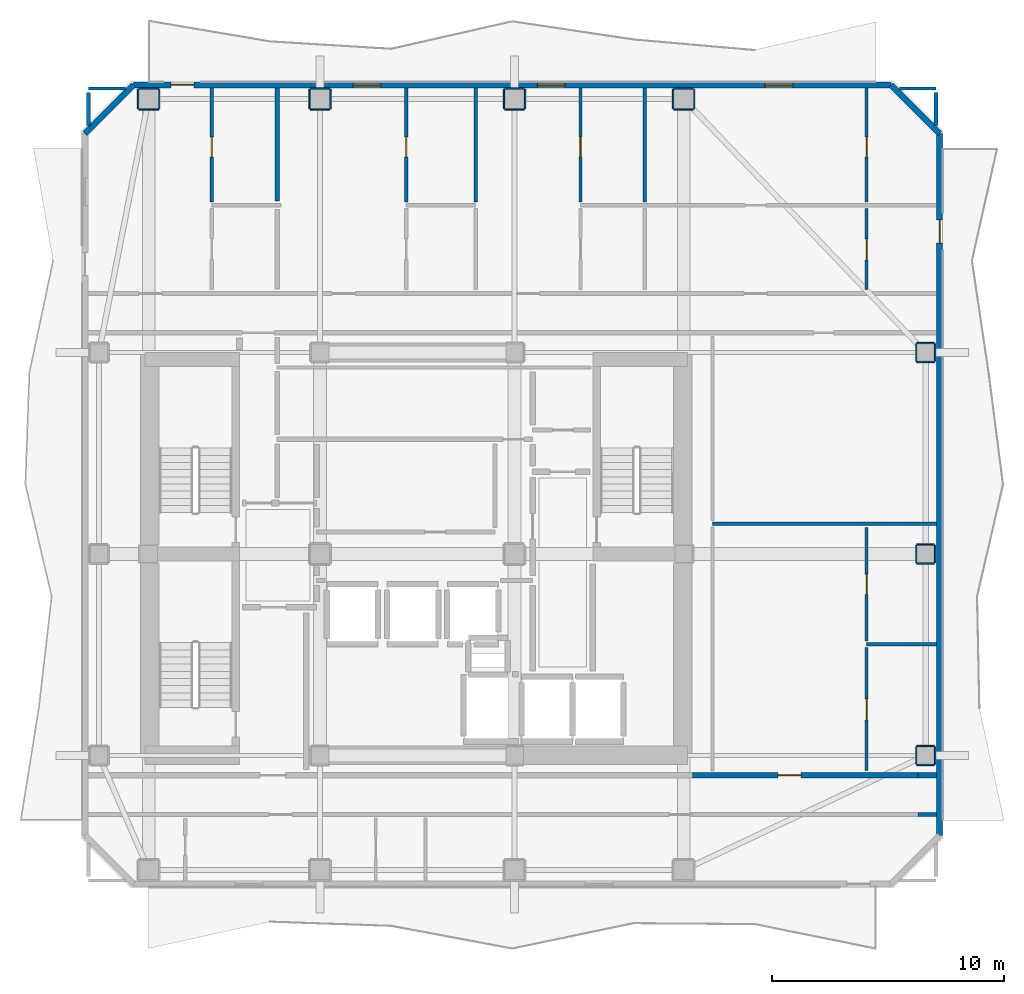
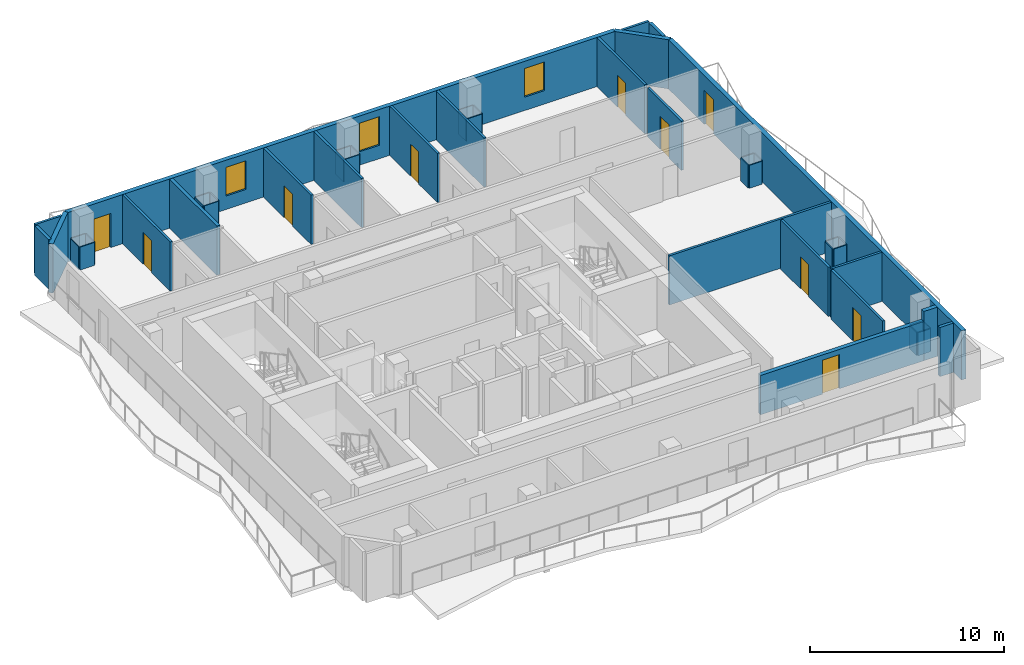
# One storey, part 5 of 9: 51 walls, 10 doors, 3 windows, 13 openings.
"""IFC4 building model written with IfcOpenShell, lengths in metres."""

from ifc_helpers import new_model, si_unit, direction, frame, frame_2d, origin, place, context, subcontext, project, spatial, rectangle, extrude, material, layer, layer_set, type_object, element, fill, save


model = new_model("IFC4")

# Units and contexts
model_context = context("Model", 3, precision=1e-05, world=origin(), true_north=direction((0.0, 1.0)))
body_context = subcontext(model_context, "Body", "Model", "MODEL_VIEW")
ifc_project = project(units=[si_unit("LENGTHUNIT", "METRE"), si_unit("AREAUNIT", "SQUARE_METRE"), si_unit("VOLUMEUNIT", "CUBIC_METRE"), si_unit("PLANEANGLEUNIT", "RADIAN"), si_unit("MASSUNIT", "GRAM", prefix="KILO")], contexts=[model_context])

# Site, building, storey
site_placement = place(None, origin())
site = spatial("IfcSite", under=ifc_project, at=site_placement, CompositionType="ELEMENT")
building_placement = place(site_placement, origin())
building = spatial("IfcBuilding", under=site, at=building_placement, Name="Solanera Arch Residences", CompositionType="ELEMENT")
storey_placement = place(building_placement, frame((0.0, 0.0, 244.56005859375)))
storey = spatial("IfcBuildingStorey", under=building, at=storey_placement, Name="L71", CompositionType="ELEMENT", Elevation=244.56005859375)

# Walls
ifc_material_1 = material(Name="Fire-Rated Gypsum Stud Partition", Category="gypsum")
ifc_layer_1 = layer(ifc_material_1, 0.06005859375)
ifc_layer_set_1 = layer_set([ifc_layer_1], Name="Fire-Rated Gypsum Stud Partition")
wall_type_1 = type_object("IfcWallType", Name="Column Acoustic Furring Wall 60", PredefinedType="PARTITIONING", material=ifc_layer_set_1)
for number, where, z_axis, x_axis, name in (
    (1, (12.97509765625, 49.89306640625, 0.0), (0.0, 0.0, 1.0), (1.0, 0.0, 0.0), "L71 Column Furring 10S"),
    (2, (12.97509765625, 50.806884765625, 0.0), (0.0, 0.0, 1.0), (1.0, 0.0, 0.0), "L71 Column Furring 10N"),
    (3, (12.943115234375, 49.925048828125, 0.0), (0.0, 0.0, 1.0), (0.0, 1.0, 0.0), "L71 Column Furring 10W"),
    (4, (13.85693359375, 49.925048828125, 0.0), (0.0, 0.0, 1.0), (0.0, 1.0, 0.0), "L71 Column Furring 10E"),
):
    element("IfcWall", number, at=place(storey_placement, frame(where, z_axis=z_axis, x_axis=x_axis)), inside=storey, type_object=wall_type_1, Name=name, PredefinedType="PARTITIONING", context=body_context, shape_type="SweptSolid", body=[
        extrude(rectangle(XDim=0.849853515625, YDim=0.06005859375, at=frame_2d((0.4248046875, 0.0))), origin(), (0.0, 0.0, 1.0), 1.449951171875),
    ])
for number, where, z_axis, x_axis, name in (
    (5, (20.375, 49.89306640625, 0.0), (0.0, 0.0, 1.0), (1.0, 0.0, 0.0), "L71 Column Furring 12S"),
    (6, (20.375, 50.806884765625, 0.0), (0.0, 0.0, 1.0), (1.0, 0.0, 0.0), "L71 Column Furring 12N"),
):
    element("IfcWall", number, at=place(storey_placement, frame(where, z_axis=z_axis, x_axis=x_axis)), inside=storey, type_object=wall_type_1, Name=name, PredefinedType="PARTITIONING", context=body_context, shape_type="SweptSolid", body=[
        extrude(rectangle(XDim=0.85009765625, YDim=0.06005859375, at=frame_2d((0.425048828125, 0.0))), origin(), (0.0, 0.0, 1.0), 1.449951171875),
    ])
for number, where, z_axis, x_axis, name in (
    (7, (20.343017578125, 49.925048828125, 0.0), (0.0, 0.0, 1.0), (0.0, 1.0, 0.0), "L71 Column Furring 12W"),
    (8, (21.257080078125, 49.925048828125, 0.0), (0.0, 0.0, 1.0), (0.0, 1.0, 0.0), "L71 Column Furring 12E"),
):
    element("IfcWall", number, at=place(storey_placement, frame(where, z_axis=z_axis, x_axis=x_axis)), inside=storey, type_object=wall_type_1, Name=name, PredefinedType="PARTITIONING", context=body_context, shape_type="SweptSolid", body=[
        extrude(rectangle(XDim=0.849853515625, YDim=0.06005859375, at=frame_2d((0.4248046875, 0.0))), origin(), (0.0, 0.0, 1.0), 1.449951171875),
    ])
for number, where, z_axis, x_axis, name in (
    (9, (28.77490234375, 49.89306640625, 0.0), (0.0, 0.0, 1.0), (1.0, 0.0, 0.0), "L71 Column Furring 14S"),
    (10, (28.77490234375, 50.806884765625, 0.0), (0.0, 0.0, 1.0), (1.0, 0.0, 0.0), "L71 Column Furring 14N"),
):
    element("IfcWall", number, at=place(storey_placement, frame(where, z_axis=z_axis, x_axis=x_axis)), inside=storey, type_object=wall_type_1, Name=name, PredefinedType="PARTITIONING", context=body_context, shape_type="SweptSolid", body=[
        extrude(rectangle(XDim=0.85009765625, YDim=0.06005859375, at=frame_2d((0.425048828125, 0.0))), origin(), (0.0, 0.0, 1.0), 1.449951171875),
    ])
for number, where, z_axis, x_axis, name in (
    (11, (28.742919921875, 49.925048828125, 0.0), (0.0, 0.0, 1.0), (0.0, 1.0, 0.0), "L71 Column Furring 14W"),
    (12, (29.656982421875, 49.925048828125, 0.0), (0.0, 0.0, 1.0), (0.0, 1.0, 0.0), "L71 Column Furring 14E"),
):
    element("IfcWall", number, at=place(storey_placement, frame(where, z_axis=z_axis, x_axis=x_axis)), inside=storey, type_object=wall_type_1, Name=name, PredefinedType="PARTITIONING", context=body_context, shape_type="SweptSolid", body=[
        extrude(rectangle(XDim=0.849853515625, YDim=0.06005859375, at=frame_2d((0.4248046875, 0.0))), origin(), (0.0, 0.0, 1.0), 1.449951171875),
    ])
for number, where, z_axis, x_axis, name in (
    (13, (36.074951171875, 49.89306640625, 0.0), (0.0, 0.0, 1.0), (1.0, 0.0, 0.0), "L71 Column Furring 16S"),
    (14, (36.074951171875, 50.806884765625, 0.0), (0.0, 0.0, 1.0), (1.0, 0.0, 0.0), "L71 Column Furring 16N"),
):
    element("IfcWall", number, at=place(storey_placement, frame(where, z_axis=z_axis, x_axis=x_axis)), inside=storey, type_object=wall_type_1, Name=name, PredefinedType="PARTITIONING", context=body_context, shape_type="SweptSolid", body=[
        extrude(rectangle(XDim=0.85009765625, YDim=0.06005859375, at=frame_2d((0.425048828125, 0.0))), origin(), (0.0, 0.0, 1.0), 1.449951171875),
    ])
for number, where, z_axis, x_axis, name in (
    (15, (36.04296875, 49.925048828125, 0.0), (0.0, 0.0, 1.0), (0.0, 1.0, 0.0), "L71 Column Furring 16W"),
    (16, (36.95703125, 49.925048828125, 0.0), (0.0, 0.0, 1.0), (0.0, 1.0, 0.0), "L71 Column Furring 16E"),
):
    element("IfcWall", number, at=place(storey_placement, frame(where, z_axis=z_axis, x_axis=x_axis)), inside=storey, type_object=wall_type_1, Name=name, PredefinedType="PARTITIONING", context=body_context, shape_type="SweptSolid", body=[
        extrude(rectangle(XDim=0.849853515625, YDim=0.06005859375, at=frame_2d((0.4248046875, 0.0))), origin(), (0.0, 0.0, 1.0), 1.449951171875),
    ])
for number, where, z_axis, x_axis, name in (
    (17, (46.574951171875, 21.593017578125, 0.0), (0.0, 0.0, 1.0), (1.0, 0.0, 0.0), "L71 Column Furring 18S"),
    (18, (46.574951171875, 22.406982421875, 0.0), (0.0, 0.0, 1.0), (1.0, 0.0, 0.0), "L71 Column Furring 18N"),
    (19, (46.54296875, 21.625, 0.0), (0.0, 0.0, 1.0), (0.0, 1.0, 0.0), "L71 Column Furring 18W"),
    (20, (47.35693359375, 21.625, 0.0), (0.0, 0.0, 1.0), (0.0, 1.0, 0.0), "L71 Column Furring 18E"),
    (21, (46.574951171875, 30.29296875, 0.0), (0.0, 0.0, 1.0), (1.0, 0.0, 0.0), "L71 Column Furring 20S"),
    (22, (46.574951171875, 31.10693359375, 0.0), (0.0, 0.0, 1.0), (1.0, 0.0, 0.0), "L71 Column Furring 20N"),
    (23, (46.54296875, 30.324951171875, 0.0), (0.0, 0.0, 1.0), (0.0, 1.0, 0.0), "L71 Column Furring 20W"),
    (24, (47.35693359375, 30.324951171875, 0.0), (0.0, 0.0, 1.0), (0.0, 1.0, 0.0), "L71 Column Furring 20E"),
    (25, (46.574951171875, 38.992919921875, 0.0), (0.0, 0.0, 1.0), (1.0, 0.0, 0.0), "L71 Column Furring 22S"),
    (26, (46.574951171875, 39.806884765625, 0.0), (0.0, 0.0, 1.0), (1.0, 0.0, 0.0), "L71 Column Furring 22N"),
    (27, (46.54296875, 39.02490234375, 0.0), (0.0, 0.0, 1.0), (0.0, 1.0, 0.0), "L71 Column Furring 22W"),
    (28, (47.35693359375, 39.02490234375, 0.0), (0.0, 0.0, 1.0), (0.0, 1.0, 0.0), "L71 Column Furring 22E"),
):
    element("IfcWall", number, at=place(storey_placement, frame(where, z_axis=z_axis, x_axis=x_axis)), inside=storey, type_object=wall_type_1, Name=name, PredefinedType="PARTITIONING", context=body_context, shape_type="SweptSolid", body=[
        extrude(rectangle(XDim=0.75, YDim=0.06005859375, at=frame_2d((0.375, 0.0))), origin(), (0.0, 0.0, 1.0), 1.449951171875),
    ])
ifc_material_2 = material(Name="Autoclaved Aerated Concrete Blockwork", Category="masonry")
ifc_layer_2 = layer(ifc_material_2, 0.179931640625)
ifc_layer_set_2 = layer_set([ifc_layer_2], Name="Autoclaved Aerated Concrete Blockwork")
wall_type_2 = type_object("IfcWallType", Name="Corridor Fire Partition 180", PredefinedType="PARTITIONING", material=ifc_layer_set_2)
wall_1_placement = place(storey_placement, frame((46.611083984375, 19.449951171875, 0.0), z_axis=(0.0, 0.0, 1.0), x_axis=(1.0, 0.0, 0.0)))
element("IfcWall", 29, at=wall_1_placement, inside=storey, type_object=wall_type_2, Name="L71 Interior Partition H7 3", PredefinedType="PARTITIONING", context=body_context, shape_type="SweptSolid", body=[
    extrude(rectangle(XDim=0.802001953125, YDim=0.179931640625, at=frame_2d((0.40087890625, 0.0))), origin(), (0.0, 0.0, 1.0), 3.099853515625),
])
for number, where, z_axis, x_axis, name in (
    (30, (10.800048828125, 49.2109375, 0.0), (0.0, 0.0, 1.0), (0.0, 1.0, 0.0), "L71 Interior Partition V9"),
    (31, (47.39990234375, 49.2109375, 0.0), (0.0, 0.0, 1.0), (0.0, 1.0, 0.0), "L71 Interior Partition V11 2"),
):
    element("IfcWall", number, at=place(storey_placement, frame(where, z_axis=z_axis, x_axis=x_axis)), inside=storey, type_object=wall_type_2, Name=name, PredefinedType="PARTITIONING", context=body_context, shape_type="SweptSolid", body=[
        extrude(rectangle(XDim=1.421142578125, YDim=0.179931640625, at=frame_2d((0.71044921875, 0.0))), origin(), (0.0, 0.0, 1.0), 3.099853515625),
    ])
ifc_material_3 = material(Name="Precast Concrete C35/45", Category="concrete")
ifc_layer_3 = layer(ifc_material_3, 0.260009765625)
ifc_layer_set_3 = layer_set([ifc_layer_3], Name="Precast Concrete C35/45")
wall_type_3 = type_object("IfcWallType", Name="Exterior Wall Precast Masonry-Frame 260", PredefinedType="STANDARD", material=ifc_layer_set_3)
wall_2_placement = place(storey_placement, frame((10.64501953125, 48.85498046875, 0.0), z_axis=(0.0, 0.0, 1.0), x_axis=(0.707106781187, 0.707106781187, 0.0)))
element("IfcWall", 32, at=wall_2_placement, inside=storey, type_object=wall_type_3, Name="L71 Tower Exterior Precast Masonry-Frame Wall CH1", PredefinedType="STANDARD", context=body_context, shape_type="SweptSolid", body=[
    extrude(rectangle(XDim=2.969970703125, YDim=0.260009765625, at=frame_2d((1.48486328125, 0.0))), origin(), (0.0, 0.0, 1.0), 3.099853515625),
])

# Wall, openings, door, windows
wall_3_placement = place(storey_placement, frame((12.7451171875, 50.955078125, 0.0), z_axis=(0.0, 0.0, 1.0), x_axis=(1.0, 0.0, 0.0)))
wall_3 = element("IfcWall", 33, at=wall_3_placement, inside=storey, type_object=wall_type_3, Name="L71 Tower Exterior Precast Masonry-Frame Wall N", PredefinedType="STANDARD", context=body_context, shape_type="SweptSolid", body=[
    extrude(rectangle(XDim=32.7099609375, YDim=0.260009765625, at=frame_2d((16.35498046875, 0.0))), origin(), (0.0, 0.0, 1.0), 3.099853515625),
])
opening_1_placement = place(wall_3_placement, frame((1.610107421875, 0.0, 0.0)))
opening_1 = element("IfcOpeningElement", 34, at=opening_1_placement, cuts=wall_3, Name="Opening DB-01", PredefinedType="OPENING", context=body_context, shape_type="SweptSolid", body=[
    extrude(rectangle(XDim=1.0, YDim=2.14990234375, at=frame_2d((0.5, 1.074951171875))), frame((0.0, 0.139892578125, 0.0), z_axis=(0.0, -1.0, 0.0), x_axis=(1.0, 0.0, 0.0)), (0.0, 0.0, 1.0), 0.28),
])
opening_2_placement = place(wall_3_placement, frame((9.47802734375, 0.0, 0.85009765625)))
opening_2 = element("IfcOpeningElement", 35, at=opening_2_placement, cuts=wall_3, Name="Opening W-01", PredefinedType="OPENING", context=body_context, shape_type="SweptSolid", body=[
    extrude(rectangle(XDim=1.199951171875, YDim=1.800048828125, at=frame_2d((0.60009765625, 0.89990234375))), frame((0.0, 0.139892578125, 0.0), z_axis=(0.0, -1.0, 0.0), x_axis=(1.0, 0.0, 0.0)), (0.0, 0.0, 1.0), 0.28),
])
opening_3_placement = place(wall_3_placement, frame((17.43994140625, 0.0, 0.85009765625)))
opening_3 = element("IfcOpeningElement", 36, at=opening_3_placement, cuts=wall_3, Name="Opening W-01", PredefinedType="OPENING", context=body_context, shape_type="SweptSolid", body=[
    extrude(rectangle(XDim=1.199951171875, YDim=1.800048828125, at=frame_2d((0.60009765625, 0.89990234375))), frame((0.0, 0.139892578125, 0.0), z_axis=(0.0, -1.0, 0.0), x_axis=(1.0, 0.0, 0.0)), (0.0, 0.0, 1.0), 0.28),
])
opening_4_placement = place(wall_3_placement, frame((27.26708984375, 0.0, 0.85009765625)))
opening_4 = element("IfcOpeningElement", 37, at=opening_4_placement, cuts=wall_3, Name="Opening W-01", PredefinedType="OPENING", context=body_context, shape_type="SweptSolid", body=[
    extrude(rectangle(XDim=1.199951171875, YDim=1.800048828125, at=frame_2d((0.60009765625, 0.89990234375))), frame((0.0, 0.139892578125, 0.0), z_axis=(0.0, -1.0, 0.0), x_axis=(1.0, 0.0, 0.0)), (0.0, 0.0, 1.0), 0.28),
])
ifc_material_4 = material(Name="Anodised Aluminium Alloy 6063-T6", Category="aluminium")
door_type_1 = type_object("IfcDoorType", Name="Glazed Balcony Swing Door DB-01", OperationType="NOTDEFINED", PredefinedType="DOOR", material=ifc_material_4)
door_1_placement = place(opening_1_placement, origin())
door_1 = element("IfcDoor", 38, at=door_1_placement, inside=storey, type_object=door_type_1, Name="DR-L71-OUT-02", OperationType="SINGLE_SWING_RIGHT", OverallHeight=2.14990234375, OverallWidth=1.0, PredefinedType="DOOR", context=body_context, shape_type="SweptSolid", body=[
    extrude(rectangle(XDim=1.0, YDim=2.14990234375, at=frame_2d((0.5, 1.074951171875))), frame((0.0, 0.02490234375, 0.0), z_axis=(0.0, -1.0, 0.0), x_axis=(1.0, 0.0, 0.0)), (0.0, 0.0, 1.0), 0.050048828125),
])
fill(opening_1, door_1)
ifc_material_5 = material(Name="Double Glazed Low-E Laminated Glass", Category="glass")
window_type = type_object("IfcWindowType", Name="Punched Window W-01", PartitioningType="SINGLE_PANEL", PredefinedType="WINDOW", material=ifc_material_5)
window_1_placement = place(opening_2_placement, origin())
window_1 = element("IfcWindow", 39, at=window_1_placement, inside=storey, type_object=window_type, Name="L71 7103-LIV Punched Window", OverallHeight=1.800048828125, OverallWidth=1.199951171875, PartitioningType="SINGLE_PANEL", PredefinedType="WINDOW", context=body_context, shape_type="SweptSolid", body=[
    extrude(rectangle(XDim=1.199951171875, YDim=1.800048828125, at=frame_2d((0.60009765625, 0.89990234375))), frame((0.0, 0.030029296875, 0.0), z_axis=(0.0, -1.0, 0.0), x_axis=(1.0, 0.0, 0.0)), (0.0, 0.0, 1.0), 0.06005859375),
])
fill(opening_2, window_1)
window_2_placement = place(opening_3_placement, origin())
window_2 = element("IfcWindow", 40, at=window_2_placement, inside=storey, type_object=window_type, Name="L71 7104-LIV Punched Window", OverallHeight=1.800048828125, OverallWidth=1.199951171875, PartitioningType="SINGLE_PANEL", PredefinedType="WINDOW", context=body_context, shape_type="SweptSolid", body=[
    extrude(rectangle(XDim=1.199951171875, YDim=1.800048828125, at=frame_2d((0.60009765625, 0.89990234375))), frame((0.0, 0.030029296875, 0.0), z_axis=(0.0, -1.0, 0.0), x_axis=(1.0, 0.0, 0.0)), (0.0, 0.0, 1.0), 0.06005859375),
])
fill(opening_3, window_2)
window_3_placement = place(opening_4_placement, origin())
window_3 = element("IfcWindow", 41, at=window_3_placement, inside=storey, type_object=window_type, Name="L71 7105-LIV Punched Window", OverallHeight=1.800048828125, OverallWidth=1.199951171875, PartitioningType="SINGLE_PANEL", PredefinedType="WINDOW", context=body_context, shape_type="SweptSolid", body=[
    extrude(rectangle(XDim=1.199951171875, YDim=1.800048828125, at=frame_2d((0.60009765625, 0.89990234375))), frame((0.0, 0.030029296875, 0.0), z_axis=(0.0, -1.0, 0.0), x_axis=(1.0, 0.0, 0.0)), (0.0, 0.0, 1.0), 0.06005859375),
])
fill(opening_4, window_3)

# Wall
wall_4_placement = place(storey_placement, frame((45.455078125, 50.955078125, 0.0), z_axis=(0.0, 0.0, 1.0), x_axis=(0.707065676302, -0.707147883682, 0.0)))
element("IfcWall", 42, at=wall_4_placement, inside=storey, type_object=wall_type_3, Name="L71 Tower Exterior Precast Masonry-Frame Wall CH3", PredefinedType="STANDARD", context=body_context, shape_type="SweptSolid", body=[
    extrude(rectangle(XDim=2.9697265625, YDim=0.260009765625, at=frame_2d((1.48486328125, 0.0))), origin(), (0.0, 0.0, 1.0), 3.099853515625),
])

# Wall, opening, door
wall_5_placement = place(storey_placement, frame((47.554931640625, 48.85498046875, 0.0), z_axis=(0.0, 0.0, 1.0), x_axis=(0.0, -1.0, 0.0)))
wall_5 = element("IfcWall", 43, at=wall_5_placement, inside=storey, type_object=wall_type_3, Name="L71 Tower Exterior Precast Masonry-Frame Wall E", PredefinedType="STANDARD", context=body_context, shape_type="SweptSolid", body=[
    extrude(rectangle(XDim=30.31005859375, YDim=0.260009765625, at=frame_2d((15.155029296875, 0.0))), origin(), (0.0, 0.0, 1.0), 3.099853515625),
])
opening_5_placement = place(wall_5_placement, frame((3.72900390625, 0.0, 0.0)))
opening_5 = element("IfcOpeningElement", 44, at=opening_5_placement, cuts=wall_5, Name="Opening DB-01", PredefinedType="OPENING", context=body_context, shape_type="SweptSolid", body=[
    extrude(rectangle(XDim=1.0, YDim=2.14990234375, at=frame_2d((0.5, 1.074951171875))), frame((0.0, 0.139892578125, 0.0), z_axis=(0.0, -1.0, 0.0), x_axis=(1.0, 0.0, 0.0)), (0.0, 0.0, 1.0), 0.28),
])
door_2_placement = place(opening_5_placement, origin())
door_2 = element("IfcDoor", 45, at=door_2_placement, inside=storey, type_object=door_type_1, Name="DR-L71-OUT-03", OperationType="SINGLE_SWING_LEFT", OverallHeight=2.14990234375, OverallWidth=1.0, PredefinedType="DOOR", context=body_context, shape_type="SweptSolid", body=[
    extrude(rectangle(XDim=1.0, YDim=2.14990234375, at=frame_2d((0.5, 1.074951171875))), frame((0.0, 0.02490234375, 0.0), z_axis=(0.0, -1.0, 0.0), x_axis=(1.0, 0.0, 0.0)), (0.0, 0.0, 1.0), 0.050048828125),
])
fill(opening_5, door_2)

# Wall
ifc_material_6 = material(Name="Autoclaved Aerated Concrete Blockwork", Category="masonry")
ifc_layer_4 = layer(ifc_material_6, 0.199951171875)
ifc_layer_set_4 = layer_set([ifc_layer_4], Name="Autoclaved Aerated Concrete Blockwork")
wall_type_4 = type_object("IfcWallType", Name="Party Wall Acoustic 200", PredefinedType="PARTITIONING", material=ifc_layer_set_4)
wall_6_placement = place(storey_placement, frame((18.949951171875, 45.93408203125, 0.0), z_axis=(0.0, 0.0, 1.0), x_axis=(0.0, 1.0, 0.0)))
element("IfcWall", 46, at=wall_6_placement, inside=storey, type_object=wall_type_4, Name="L71 Interior Partition V7 2", PredefinedType="PARTITIONING", context=body_context, shape_type="SweptSolid", body=[
    extrude(rectangle(XDim=4.87890625, YDim=0.199951171875, at=frame_2d((2.439453125, 0.0))), origin(), (0.0, 0.0, 1.0), 3.099853515625),
])

# Wall, opening, door
ifc_material_7 = material(Name="Autoclaved Aerated Concrete Blockwork", Category="masonry")
ifc_layer_5 = layer(ifc_material_7, 0.239990234375)
ifc_layer_set_5 = layer_set([ifc_layer_5], Name="Autoclaved Aerated Concrete Blockwork")
wall_type_5 = type_object("IfcWallType", Name="Shaft Wall Fire-Rated 240", PredefinedType="PARTITIONING", material=ifc_layer_set_5)
wall_7_placement = place(storey_placement, frame((36.888916015625, 21.14990234375, 0.0), z_axis=(0.0, 0.0, 1.0), x_axis=(1.0, 0.0, 0.0)))
wall_7 = element("IfcWall", 47, at=wall_7_placement, inside=storey, type_object=wall_type_5, Name="L71 Interior Partition H1 2", PredefinedType="PARTITIONING", context=body_context, shape_type="SweptSolid", body=[
    extrude(rectangle(XDim=9.72216796875, YDim=0.239990234375, at=frame_2d((4.861083984375, 0.0))), origin(), (0.0, 0.0, 1.0), 2.47705078125),
])
opening_6_placement = place(wall_7_placement, frame((3.68603515625, 0.0, 0.0)))
opening_6 = element("IfcOpeningElement", 48, at=opening_6_placement, cuts=wall_7, Name="Opening DI-01", PredefinedType="OPENING", context=body_context, shape_type="SweptSolid", body=[
    extrude(rectangle(XDim=1.0, YDim=2.14990234375, at=frame_2d((0.5, 1.074951171875))), frame((0.0, 0.1298828125, 0.0), z_axis=(0.0, -1.0, 0.0), x_axis=(1.0, 0.0, 0.0)), (0.0, 0.0, 1.0), 0.26),
])
ifc_material_8 = material(Name="Fire-Rated Architectural Hardwood", Category="wood")
door_type_2 = type_object("IfcDoorType", Name="Unit Entrance Fire Door DI-01", OperationType="NOTDEFINED", PredefinedType="DOOR", material=ifc_material_8)
door_3_placement = place(opening_6_placement, origin())
door_3 = element("IfcDoor", 49, at=door_3_placement, inside=storey, type_object=door_type_2, Name="DR-L71-IN-031", OperationType="SINGLE_SWING_LEFT", OverallHeight=2.14990234375, OverallWidth=1.0, PredefinedType="DOOR", context=body_context, shape_type="SweptSolid", body=[
    extrude(rectangle(XDim=1.0, YDim=2.14990234375, at=frame_2d((0.5, 1.074951171875))), frame((0.0, 0.02490234375, 0.0), z_axis=(0.0, -1.0, 0.0), x_axis=(1.0, 0.0, 0.0)), (0.0, 0.0, 1.0), 0.050048828125),
])
fill(opening_6, door_3)

# Walls
wall_8_placement = place(storey_placement, frame((46.611083984375, 21.14990234375, 0.0), z_axis=(0.0, 0.0, 1.0), x_axis=(1.0, 0.0, 0.0)))
element("IfcWall", 50, at=wall_8_placement, inside=storey, type_object=wall_type_5, Name="L71 Interior Partition H1 3", PredefinedType="PARTITIONING", context=body_context, shape_type="SweptSolid", body=[
    extrude(rectangle(XDim=0.802001953125, YDim=0.239990234375, at=frame_2d((0.40087890625, 0.0))), origin(), (0.0, 0.0, 1.0), 3.099853515625),
])
ifc_material_9 = material(Name="Autoclaved Aerated Concrete Blockwork", Category="masonry")
ifc_layer_6 = layer(ifc_material_9, 0.139892578125)
ifc_layer_set_6 = layer_set([ifc_layer_6], Name="Autoclaved Aerated Concrete Blockwork")
wall_type_6 = type_object("IfcWallType", Name="Wet-Room Partition 140", PredefinedType="PARTITIONING", material=ifc_layer_set_6)
wall_9_placement = place(storey_placement, frame((44.39990234375, 26.800048828125, 0.0), z_axis=(0.0, 0.0, 1.0), x_axis=(1.0, 0.0, 0.0)))
element("IfcWall", 51, at=wall_9_placement, inside=storey, type_object=wall_type_6, Name="L71 Interior Partition H14", PredefinedType="PARTITIONING", context=body_context, shape_type="SweptSolid", body=[
    extrude(rectangle(XDim=3.01318359375, YDim=0.139892578125, at=frame_2d((1.506591796875, 0.0))), origin(), (0.0, 0.0, 1.0), 3.099853515625),
])
wall_10_placement = place(storey_placement, frame((37.75, 32.0, 0.0), z_axis=(0.0, 0.0, 1.0), x_axis=(1.0, 0.0, 0.0)))
element("IfcWall", 52, at=wall_10_placement, inside=storey, type_object=wall_type_6, Name="L71 Interior Partition H15", PredefinedType="PARTITIONING", context=body_context, shape_type="SweptSolid", body=[
    extrude(rectangle(XDim=9.6630859375, YDim=0.139892578125, at=frame_2d((4.83154296875, 0.0))), origin(), (0.0, 0.0, 1.0), 3.099853515625),
])
for number, where, z_axis, x_axis, name in (
    (53, (10.800048828125, 50.800048828125, 0.0), (0.0, 0.0, 1.0), (1.0, 0.0, 0.0), "L71 Interior Partition H19 1"),
    (54, (45.81103515625, 50.800048828125, 0.0), (0.0, 0.0, 1.0), (1.0, 0.0, 0.0), "L71 Interior Partition H19 2"),
):
    element("IfcWall", number, at=place(storey_placement, frame(where, z_axis=z_axis, x_axis=x_axis)), inside=storey, type_object=wall_type_6, Name=name, PredefinedType="PARTITIONING", context=body_context, shape_type="SweptSolid", body=[
        extrude(rectangle(XDim=1.5888671875, YDim=0.139892578125, at=frame_2d((0.79443359375, 0.0))), origin(), (0.0, 0.0, 1.0), 3.099853515625),
    ])

# Wall, opening, door
wall_11_placement = place(storey_placement, frame((16.1201171875, 45.904052734375, 0.0), z_axis=(0.0, 0.0, 1.0), x_axis=(0.0, 1.0, 0.0)))
wall_11 = element("IfcWall", 55, at=wall_11_placement, inside=storey, type_object=wall_type_6, Name="L71 Interior Partition V13 2", PredefinedType="PARTITIONING", context=body_context, shape_type="SweptSolid", body=[
    extrude(rectangle(XDim=4.908935546875, YDim=0.139892578125, at=frame_2d((2.45458984375, 0.0))), origin(), (0.0, 0.0, 1.0), 3.099853515625),
])
opening_7_placement = place(wall_11_placement, frame((1.930908203125, 0.0, 0.0)))
opening_7 = element("IfcOpeningElement", 56, at=opening_7_placement, cuts=wall_11, Name="Opening DI-05", PredefinedType="OPENING", context=body_context, shape_type="SweptSolid", body=[
    extrude(rectangle(XDim=0.860107421875, YDim=2.02001953125, at=frame_2d((0.43017578125, 1.010009765625))), frame((0.0, 0.079833984375, 0.0), z_axis=(0.0, -1.0, 0.0), x_axis=(1.0, 0.0, 0.0)), (0.0, 0.0, 1.0), 0.1599),
])
ifc_material_10 = material(Name="Fire-Rated Architectural Hardwood", Category="wood")
door_type_3 = type_object("IfcDoorType", Name="Bathroom Swing Door DI-05", OperationType="NOTDEFINED", PredefinedType="DOOR", material=ifc_material_10)
door_4_placement = place(opening_7_placement, origin())
door_4 = element("IfcDoor", 57, at=door_4_placement, inside=storey, type_object=door_type_3, Name="DR-L71-IN-020", OperationType="SINGLE_SWING_RIGHT", OverallHeight=2.02001953125, OverallWidth=0.860107421875, PredefinedType="DOOR", context=body_context, shape_type="SweptSolid", body=[
    extrude(rectangle(XDim=0.860107421875, YDim=2.02001953125, at=frame_2d((0.43017578125, 1.010009765625))), frame((0.0, 0.02490234375, 0.0), z_axis=(0.0, -1.0, 0.0), x_axis=(1.0, 0.0, 0.0)), (0.0, 0.0, 1.0), 0.050048828125),
])
fill(opening_7, door_4)

wall_12_placement = place(storey_placement, frame((24.52001953125, 45.904052734375, 0.0), z_axis=(0.0, 0.0, 1.0), x_axis=(0.0, 1.0, 0.0)))
wall_12 = element("IfcWall", 58, at=wall_12_placement, inside=storey, type_object=wall_type_6, Name="L71 Interior Partition V14 2", PredefinedType="PARTITIONING", context=body_context, shape_type="SweptSolid", body=[
    extrude(rectangle(XDim=4.908935546875, YDim=0.139892578125, at=frame_2d((2.45458984375, 0.0))), origin(), (0.0, 0.0, 1.0), 3.099853515625),
])
opening_8_placement = place(wall_12_placement, frame((1.930908203125, 0.0, 0.0)))
opening_8 = element("IfcOpeningElement", 59, at=opening_8_placement, cuts=wall_12, Name="Opening DI-05", PredefinedType="OPENING", context=body_context, shape_type="SweptSolid", body=[
    extrude(rectangle(XDim=0.860107421875, YDim=2.02001953125, at=frame_2d((0.43017578125, 1.010009765625))), frame((0.0, 0.079833984375, 0.0), z_axis=(0.0, -1.0, 0.0), x_axis=(1.0, 0.0, 0.0)), (0.0, 0.0, 1.0), 0.1599),
])
door_5_placement = place(opening_8_placement, origin())
door_5 = element("IfcDoor", 60, at=door_5_placement, inside=storey, type_object=door_type_3, Name="DR-L71-IN-023", OperationType="SINGLE_SWING_LEFT", OverallHeight=2.02001953125, OverallWidth=0.860107421875, PredefinedType="DOOR", context=body_context, shape_type="SweptSolid", body=[
    extrude(rectangle(XDim=0.860107421875, YDim=2.02001953125, at=frame_2d((0.43017578125, 1.010009765625))), frame((0.0, 0.02490234375, 0.0), z_axis=(0.0, -1.0, 0.0), x_axis=(1.0, 0.0, 0.0)), (0.0, 0.0, 1.0), 0.050048828125),
])
fill(opening_8, door_5)

# Wall
wall_13_placement = place(storey_placement, frame((27.52001953125, 45.904052734375, 0.0), z_axis=(0.0, 0.0, 1.0), x_axis=(0.0, 1.0, 0.0)))
element("IfcWall", 61, at=wall_13_placement, inside=storey, type_object=wall_type_6, Name="L71 Interior Partition V15 2", PredefinedType="PARTITIONING", context=body_context, shape_type="SweptSolid", body=[
    extrude(rectangle(XDim=4.908935546875, YDim=0.139892578125, at=frame_2d((2.45458984375, 0.0))), origin(), (0.0, 0.0, 1.0), 3.099853515625),
])

# Wall, opening, door
wall_14_placement = place(storey_placement, frame((32.0458984375, 45.904052734375, 0.0), z_axis=(0.0, 0.0, 1.0), x_axis=(0.0, 1.0, 0.0)))
wall_14 = element("IfcWall", 62, at=wall_14_placement, inside=storey, type_object=wall_type_6, Name="L71 Interior Partition V16 2", PredefinedType="PARTITIONING", context=body_context, shape_type="SweptSolid", body=[
    extrude(rectangle(XDim=4.908935546875, YDim=0.139892578125, at=frame_2d((2.45458984375, 0.0))), origin(), (0.0, 0.0, 1.0), 3.099853515625),
])
opening_9_placement = place(wall_14_placement, frame((1.930908203125, 0.0, 0.0)))
opening_9 = element("IfcOpeningElement", 63, at=opening_9_placement, cuts=wall_14, Name="Opening DI-05", PredefinedType="OPENING", context=body_context, shape_type="SweptSolid", body=[
    extrude(rectangle(XDim=0.860107421875, YDim=2.02001953125, at=frame_2d((0.43017578125, 1.010009765625))), frame((0.0, 0.079833984375, 0.0), z_axis=(0.0, -1.0, 0.0), x_axis=(1.0, 0.0, 0.0)), (0.0, 0.0, 1.0), 0.1599),
])
door_6_placement = place(opening_9_placement, origin())
door_6 = element("IfcDoor", 64, at=door_6_placement, inside=storey, type_object=door_type_3, Name="DR-L71-IN-026", OperationType="SINGLE_SWING_RIGHT", OverallHeight=2.02001953125, OverallWidth=0.860107421875, PredefinedType="DOOR", context=body_context, shape_type="SweptSolid", body=[
    extrude(rectangle(XDim=0.860107421875, YDim=2.02001953125, at=frame_2d((0.43017578125, 1.010009765625))), frame((0.0, 0.02490234375, 0.0), z_axis=(0.0, -1.0, 0.0), x_axis=(1.0, 0.0, 0.0)), (0.0, 0.0, 1.0), 0.050048828125),
])
fill(opening_9, door_6)

# Wall
wall_15_placement = place(storey_placement, frame((34.820068359375, 45.904052734375, 0.0), z_axis=(0.0, 0.0, 1.0), x_axis=(0.0, 1.0, 0.0)))
element("IfcWall", 65, at=wall_15_placement, inside=storey, type_object=wall_type_6, Name="L71 Interior Partition V17 2", PredefinedType="PARTITIONING", context=body_context, shape_type="SweptSolid", body=[
    extrude(rectangle(XDim=4.908935546875, YDim=0.139892578125, at=frame_2d((2.45458984375, 0.0))), origin(), (0.0, 0.0, 1.0), 3.099853515625),
])

# Wall, opening, door
wall_16_placement = place(storey_placement, frame((44.39990234375, 21.347900390625, 0.0), z_axis=(0.0, 0.0, 1.0), x_axis=(0.0, 1.0, 0.0)))
wall_16 = element("IfcWall", 66, at=wall_16_placement, inside=storey, type_object=wall_type_6, Name="L71 Interior Partition V18 1", PredefinedType="PARTITIONING", context=body_context, shape_type="SweptSolid", body=[
    extrude(rectangle(XDim=5.30419921875, YDim=0.139892578125, at=frame_2d((2.652099609375, 0.0))), origin(), (0.0, 0.0, 1.0), 3.099853515625),
])
opening_10_placement = place(wall_16_placement, frame((2.18994140625, 0.0, 0.0)))
opening_10 = element("IfcOpeningElement", 67, at=opening_10_placement, cuts=wall_16, Name="Opening DI-02", PredefinedType="OPENING", context=body_context, shape_type="SweptSolid", body=[
    extrude(rectangle(XDim=0.89990234375, YDim=2.10009765625, at=frame_2d((0.449951171875, 1.050048828125))), frame((0.0, 0.079833984375, 0.0), z_axis=(0.0, -1.0, 0.0), x_axis=(1.0, 0.0, 0.0)), (0.0, 0.0, 1.0), 0.1599),
])
ifc_material_11 = material(Name="Fire-Rated Architectural Hardwood", Category="wood")
door_type_4 = type_object("IfcDoorType", Name="Suite Room Swing Door DI-02", OperationType="NOTDEFINED", PredefinedType="DOOR", material=ifc_material_11)
door_7_placement = place(opening_10_placement, origin())
door_7 = element("IfcDoor", 68, at=door_7_placement, inside=storey, type_object=door_type_4, Name="DR-L71-IN-032", OperationType="SINGLE_SWING_RIGHT", OverallHeight=2.10009765625, OverallWidth=0.89990234375, PredefinedType="DOOR", context=body_context, shape_type="SweptSolid", body=[
    extrude(rectangle(XDim=0.89990234375, YDim=2.10009765625, at=frame_2d((0.449951171875, 1.050048828125))), frame((0.0, 0.02490234375, 0.0), z_axis=(0.0, -1.0, 0.0), x_axis=(1.0, 0.0, 0.0)), (0.0, 0.0, 1.0), 0.050048828125),
])
fill(opening_10, door_7)

wall_17_placement = place(storey_placement, frame((44.39990234375, 26.947998046875, 0.0), z_axis=(0.0, 0.0, 1.0), x_axis=(0.0, 1.0, 0.0)))
wall_17 = element("IfcWall", 69, at=wall_17_placement, inside=storey, type_object=wall_type_6, Name="L71 Interior Partition V18 2", PredefinedType="PARTITIONING", context=body_context, shape_type="SweptSolid", body=[
    extrude(rectangle(XDim=4.904052734375, YDim=0.139892578125, at=frame_2d((2.4521484375, 0.0))), origin(), (0.0, 0.0, 1.0), 3.099853515625),
])
opening_11_placement = place(wall_17_placement, frame((2.009033203125, 0.0, 0.0)))
opening_11 = element("IfcOpeningElement", 70, at=opening_11_placement, cuts=wall_17, Name="Opening DI-05", PredefinedType="OPENING", context=body_context, shape_type="SweptSolid", body=[
    extrude(rectangle(XDim=0.860107421875, YDim=2.02001953125, at=frame_2d((0.43017578125, 1.010009765625))), frame((0.0, 0.079833984375, 0.0), z_axis=(0.0, -1.0, 0.0), x_axis=(1.0, 0.0, 0.0)), (0.0, 0.0, 1.0), 0.1599),
])
door_8_placement = place(opening_11_placement, origin())
door_8 = element("IfcDoor", 71, at=door_8_placement, inside=storey, type_object=door_type_3, Name="DR-L71-IN-033", OperationType="SINGLE_SWING_LEFT", OverallHeight=2.02001953125, OverallWidth=0.860107421875, PredefinedType="DOOR", context=body_context, shape_type="SweptSolid", body=[
    extrude(rectangle(XDim=0.860107421875, YDim=2.02001953125, at=frame_2d((0.43017578125, 1.010009765625))), frame((0.0, 0.02490234375, 0.0), z_axis=(0.0, -1.0, 0.0), x_axis=(1.0, 0.0, 0.0)), (0.0, 0.0, 1.0), 0.050048828125),
])
fill(opening_11, door_8)

wall_18_placement = place(storey_placement, frame((44.39990234375, 42.117919921875, 0.0), z_axis=(0.0, 0.0, 1.0), x_axis=(0.0, 1.0, 0.0)))
wall_18 = element("IfcWall", 72, at=wall_18_placement, inside=storey, type_object=wall_type_6, Name="L71 Interior Partition V19 1", PredefinedType="PARTITIONING", context=body_context, shape_type="SweptSolid", body=[
    extrude(rectangle(XDim=3.489990234375, YDim=0.139892578125, at=frame_2d((1.7451171875, 0.0))), origin(), (0.0, 0.0, 1.0), 3.099853515625),
])
opening_12_placement = place(wall_18_placement, frame((1.284912109375, 0.0, 0.0)))
opening_12 = element("IfcOpeningElement", 73, at=opening_12_placement, cuts=wall_18, Name="Opening DI-02", PredefinedType="OPENING", context=body_context, shape_type="SweptSolid", body=[
    extrude(rectangle(XDim=0.89990234375, YDim=2.10009765625, at=frame_2d((0.449951171875, 1.050048828125))), frame((0.0, 0.079833984375, 0.0), z_axis=(0.0, -1.0, 0.0), x_axis=(1.0, 0.0, 0.0)), (0.0, 0.0, 1.0), 0.1599),
])
door_9_placement = place(opening_12_placement, origin())
door_9 = element("IfcDoor", 74, at=door_9_placement, inside=storey, type_object=door_type_4, Name="DR-L71-IN-029", OperationType="SINGLE_SWING_LEFT", OverallHeight=2.10009765625, OverallWidth=0.89990234375, PredefinedType="DOOR", context=body_context, shape_type="SweptSolid", body=[
    extrude(rectangle(XDim=0.89990234375, YDim=2.10009765625, at=frame_2d((0.449951171875, 1.050048828125))), frame((0.0, 0.02490234375, 0.0), z_axis=(0.0, -1.0, 0.0), x_axis=(1.0, 0.0, 0.0)), (0.0, 0.0, 1.0), 0.050048828125),
])
fill(opening_12, door_9)

wall_19_placement = place(storey_placement, frame((44.39990234375, 45.904052734375, 0.0), z_axis=(0.0, 0.0, 1.0), x_axis=(0.0, 1.0, 0.0)))
wall_19 = element("IfcWall", 75, at=wall_19_placement, inside=storey, type_object=wall_type_6, Name="L71 Interior Partition V19 2", PredefinedType="PARTITIONING", context=body_context, shape_type="SweptSolid", body=[
    extrude(rectangle(XDim=4.908935546875, YDim=0.139892578125, at=frame_2d((2.45458984375, 0.0))), origin(), (0.0, 0.0, 1.0), 3.099853515625),
])
opening_13_placement = place(wall_19_placement, frame((1.944091796875, 0.0, 0.0)))
opening_13 = element("IfcOpeningElement", 76, at=opening_13_placement, cuts=wall_19, Name="Opening DI-05", PredefinedType="OPENING", context=body_context, shape_type="SweptSolid", body=[
    extrude(rectangle(XDim=0.860107421875, YDim=2.02001953125, at=frame_2d((0.43017578125, 1.010009765625))), frame((0.0, 0.079833984375, 0.0), z_axis=(0.0, -1.0, 0.0), x_axis=(1.0, 0.0, 0.0)), (0.0, 0.0, 1.0), 0.1599),
])
door_10_placement = place(opening_13_placement, origin())
door_10 = element("IfcDoor", 77, at=door_10_placement, inside=storey, type_object=door_type_3, Name="DR-L71-IN-030", OperationType="SINGLE_SWING_RIGHT", OverallHeight=2.02001953125, OverallWidth=0.860107421875, PredefinedType="DOOR", context=body_context, shape_type="SweptSolid", body=[
    extrude(rectangle(XDim=0.860107421875, YDim=2.02001953125, at=frame_2d((0.43017578125, 1.010009765625))), frame((0.0, 0.02490234375, 0.0), z_axis=(0.0, -1.0, 0.0), x_axis=(1.0, 0.0, 0.0)), (0.0, 0.0, 1.0), 0.050048828125),
])
fill(opening_13, door_10)

save(model, "model.ifc")
